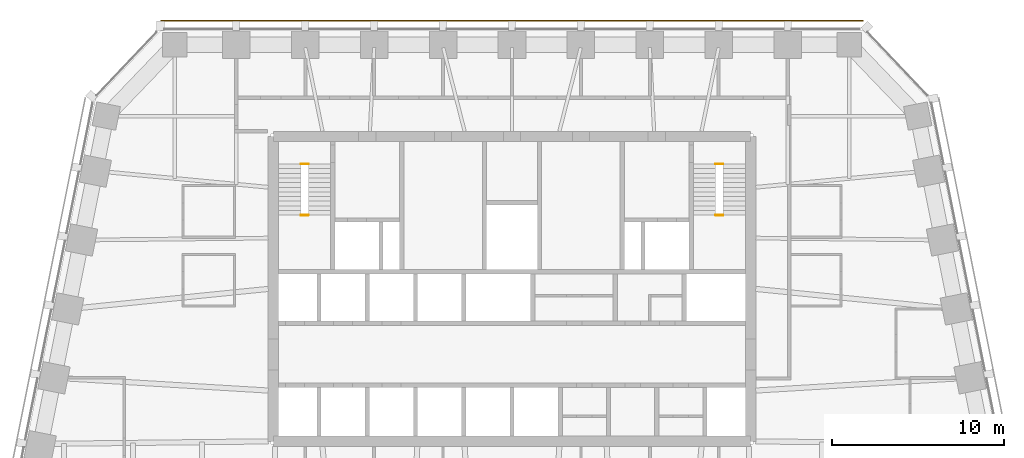
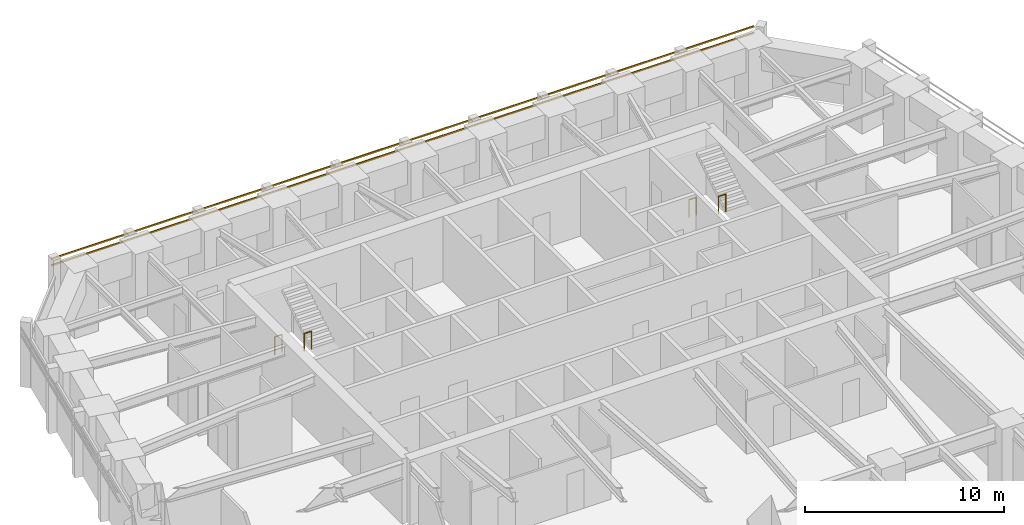
# One storey, part 10 of 10: 4 railings, 2 shading devices.
"""IFC4 building model written with IfcOpenShell, lengths in metres."""

from ifc_helpers import new_model, si_unit, direction, frame, origin, origin_2d, place, context, subcontext, project, spatial, rectangle, circle, extrude, material, material_profile, profile_set, type_object, element, save


model = new_model("IFC4")

# Units and contexts
model_context = context("Model", 3, precision=1e-05, world=origin(), true_north=direction((0.0, 1.0)))
body_context = subcontext(model_context, "Body", "Model", "MODEL_VIEW")
ifc_project = project(units=[si_unit("LENGTHUNIT", "METRE"), si_unit("AREAUNIT", "SQUARE_METRE"), si_unit("VOLUMEUNIT", "CUBIC_METRE"), si_unit("PLANEANGLEUNIT", "RADIAN"), si_unit("MASSUNIT", "GRAM", prefix="KILO")], contexts=[model_context])

# Site, building, storey
site_placement = place(None, origin())
site = spatial("IfcSite", under=ifc_project, at=site_placement, CompositionType="ELEMENT")
building_placement = place(site_placement, origin())
building = spatial("IfcBuilding", under=site, at=building_placement, Name="Isbrekke Arena Tower", CompositionType="ELEMENT")
storey_placement = place(building_placement, frame((0.0, 0.0, 218.0)))
storey = spatial("IfcBuildingStorey", under=building, at=storey_placement, Name="L50", CompositionType="ELEMENT", Elevation=218.0)

# Shading devices
ifc_material_1 = material(Name="Terracotta", Category="masonry")
ifc_material_profile = material_profile(ifc_material_1, rectangle(XDim=0.06005859375, YDim=0.06005859375, at=origin_2d()), Name="BAGUETTE 60X60")
ifc_profile_set = profile_set([ifc_material_profile], Name="Terracotta")
shading_device_type = type_object("IfcShadingDeviceType", Name="BG1 TERRACOTTA BAGUETTE 60 x 60", PredefinedType="USERDEFINED", material=ifc_profile_set)
for number, where, z_axis, x_axis, name in (
    (1, (20.39990234375, 30.580078125, 3.280029296875), (-1.0, 0.0, 0.0), (0.0, -1.0, 0.0), "BG1 terracotta baguette N1 L50"),
    (2, (20.39990234375, 30.580078125, 3.679931640625), (-1.0, 0.0, 0.0), (0.0, -1.0, 0.0), "BG1 terracotta baguette N2 L50"),
):
    element("IfcShadingDevice", number, at=place(storey_placement, frame(where, z_axis=z_axis, x_axis=x_axis)), inside=storey, type_object=shading_device_type, Name=name, ObjectType="TERRACOTTA BAGUETTE", PredefinedType="USERDEFINED", context=body_context, shape_type="SweptSolid", body=[
        extrude(rectangle(XDim=0.06005859375, YDim=0.06005859375, at=origin_2d()), origin(), (0.0, 0.0, 1.0), 40.7998046875),
    ])

# Railings
ifc_material_2 = material(Name="Steel stair guard, vertical bars, steel handrail", Category="steel")
railing_type = type_object("IfcRailingType", Name="GR3 STAIR WELL GUARD 1100", PredefinedType="GUARDRAIL", material=ifc_material_2)
for number, where, name in (
    (3, (-12.25, 22.25, 0.0), "GR3 stair well guard ST1 L50"),
    (4, (-12.25, 19.280029296875, 2.0), "GR3 stair well guard ST1 L50"),
    (5, (11.824951171875, 22.25, 0.0), "GR3 stair well guard ST2 L50"),
    (6, (11.824951171875, 19.280029296875, 2.0), "GR3 stair well guard ST2 L50"),
):
    element("IfcRailing", number, at=place(storey_placement, frame(where)), inside=storey, type_object=railing_type, Name=name, PredefinedType="GUARDRAIL", context=body_context, shape_type="SweptSolid", body=[
        extrude(circle(Radius=0.02392578125, at=origin_2d()), frame((0.0, 0.0, 1.076171875), z_axis=(1.0, 0.0, 0.0), x_axis=(0.0, 1.0, 0.0)), (0.0, 0.0, 1.0), 0.425048828125),
        extrude(circle(Radius=0.02099609375, at=origin_2d()), origin(), (0.0, 0.0, 1.0), 1.052001953125),
        extrude(circle(Radius=0.02099609375, at=origin_2d()), frame((0.425048828125, 0.0, 0.0)), (0.0, 0.0, 1.0), 1.052001953125),
    ])

save(model, "model.ifc")
